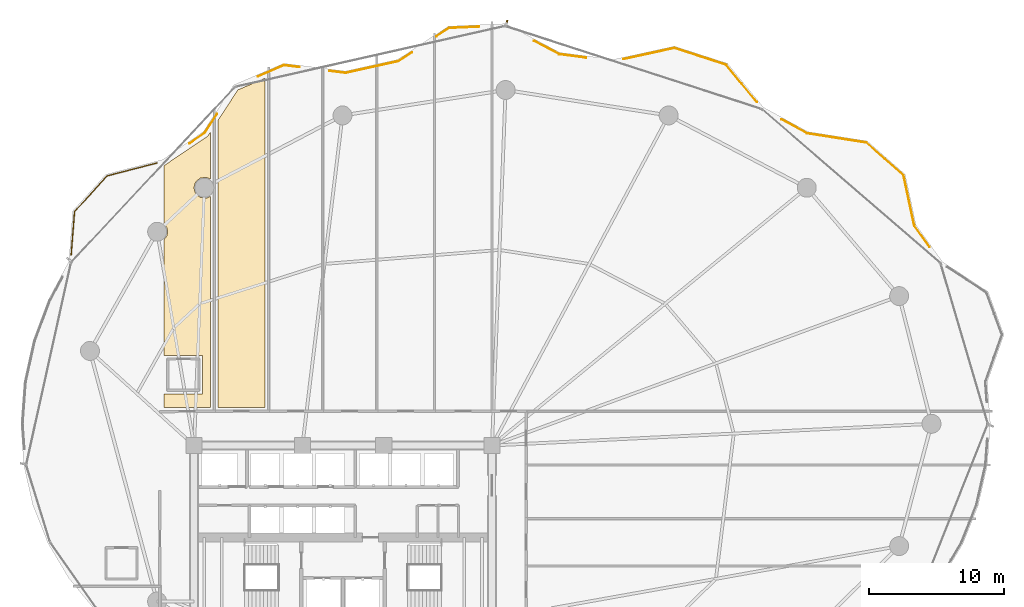
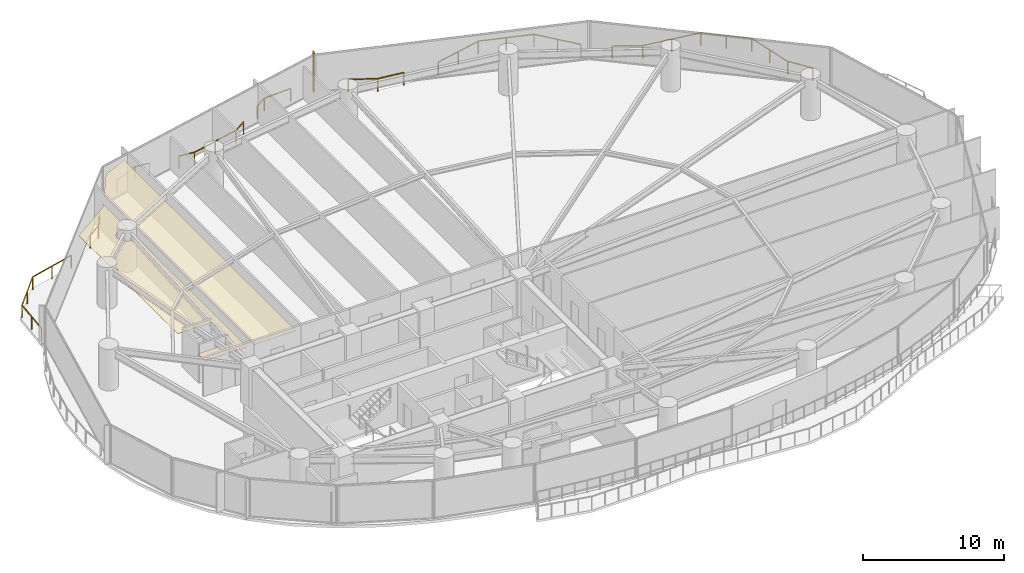
# One storey, part 32 of 33: 8 railings, 2 coverings, 1 shading device.
"""IFC4 building model written with IfcOpenShell, lengths in metres."""

from ifc_helpers import new_model, si_unit, direction, frame, origin, origin_2d, place, context, subcontext, project, spatial, polyline, rectangle, outline, extrude, material, layer, layer_set, type_object, element, save


model = new_model("IFC4")

# Units and contexts
model_context = context("Model", 3, precision=1e-05, world=origin(), true_north=direction((0.0, 1.0)))
body_context = subcontext(model_context, "Body", "Model", "MODEL_VIEW")
ifc_project = project(units=[si_unit("LENGTHUNIT", "METRE"), si_unit("AREAUNIT", "SQUARE_METRE"), si_unit("VOLUMEUNIT", "CUBIC_METRE"), si_unit("PLANEANGLEUNIT", "RADIAN"), si_unit("MASSUNIT", "GRAM", prefix="KILO")], contexts=[model_context])

# Site, building, storey
site_placement = place(None, origin())
site = spatial("IfcSite", under=ifc_project, at=site_placement, CompositionType="ELEMENT")
building_placement = place(site_placement, origin())
building = spatial("IfcBuilding", under=site, at=building_placement, Name="Kazevale Care Tower and Concert Hall", CompositionType="ELEMENT")
storey_placement = place(building_placement, frame((0.0, 0.0, 27.60009765625)))
storey = spatial("IfcBuildingStorey", under=building, at=storey_placement, Name="L06", CompositionType="ELEMENT", Elevation=27.60009765625)

# Coverings
ifc_material_1 = material(Name="Acoustic Plaster and Hinoki Wood", Category="wood")
ifc_layer = layer(ifc_material_1, 0.0400390625)
ifc_layer_set = layer_set([ifc_layer], Name="Acoustic Plaster and Hinoki Wood")
covering_type = type_object("IfcCoveringType", Name="Acoustic Perforated Wood-Gypsum Ceiling", PredefinedType="CEILING", material=ifc_layer_set)
covering_1_placement = place(storey_placement, frame((0.0, 0.0, 2.7099609375)))
element("IfcCovering", 1, at=covering_1_placement, inside=storey, type_object=covering_type, Name="clg:L06:1", PredefinedType="CEILING", context=body_context, shape_type="SweptSolid", body=[
    extrude(outline(polyline([(22.6298828125, 43.054931640625), (19.780029296875, 43.054931640625), (19.780029296875, 51.593994140625), (19.990966796875, 51.882080078125), (20.050048828125, 52.179931640625), (19.990966796875, 52.47802734375), (19.780029296875, 52.76611328125), (19.780029296875, 57.06494140625), (23.014892578125, 59.2509765625), (23.219970703125, 59.56689453125), (23.219970703125, 56.056884765625), (22.912109375, 56.195068359375), (22.4619140625, 56.15087890625), (22.111083984375, 55.863037109375), (21.97998046875, 55.429931640625), (22.111083984375, 54.9970703125), (22.4619140625, 54.708984375), (22.912109375, 54.6650390625), (23.219970703125, 54.802978515625), (23.219970703125, 39.205078125), (19.780029296875, 39.205078125), (19.780029296875, 40.195068359375), (22.6298828125, 40.195068359375), (22.6298828125, 43.054931640625)])), origin(), (0.0, 0.0, 1.0), 0.0400390625),
])
covering_2_placement = place(storey_placement, frame((0.0, 0.0, 2.7099609375)))
element("IfcCovering", 2, at=covering_2_placement, inside=storey, type_object=covering_type, Name="clg:L06:2", PredefinedType="CEILING", context=body_context, shape_type="SweptSolid", body=[
    extrude(outline(polyline([(27.219970703125, 39.205078125), (23.780029296875, 39.205078125), (23.780029296875, 60.427978515625), (25.22607421875, 62.654052734375), (27.219970703125, 63.51611328125), (27.219970703125, 39.205078125)])), origin(), (0.0, 0.0, 1.0), 0.0400390625),
])

# Railings
ifc_material_2 = material(Name="Anodised Bronze Aluminium and Laminated Glass", Category="aluminium")
railing_type = type_object("IfcRailingType", Name="Balcony and Terrace Balustrade 1120", PredefinedType="BALUSTRADE", material=ifc_material_2)
railing_1_placement = place(storey_placement, frame((12.925048828125, 50.48291015625, 0.0)))
element("IfcRailing", 3, at=railing_1_placement, inside=storey, type_object=railing_type, Name="rail:L06:perim:2", PredefinedType="BALUSTRADE", context=body_context, shape_type="SweptSolid", body=[
    extrude(rectangle(XDim=0.048095703125, YDim=0.048095703125, at=origin_2d()), frame((0.0, 0.0, 1.09619140625), z_axis=(0.077457363228, 0.996995665428, 0.0), x_axis=(-0.996995665428, 0.077457363228, 0.0)), (0.0, 0.0, 1.0), 3.189697265625),
    extrude(rectangle(XDim=0.048095703125, YDim=0.048095703125, at=origin_2d()), frame((0.2470703125, 3.18017578125, 1.09619140625), z_axis=(0.67167834736, 0.740842896766, 0.0), x_axis=(-0.740842896766, 0.67167834736, 0.0)), (0.0, 0.0, 1.0), 3.55810546875),
    extrude(rectangle(XDim=0.048095703125, YDim=0.048095703125, at=origin_2d()), frame((2.636962890625, 5.816162109375, 1.09619140625), z_axis=(0.967833691326, 0.251590830384, 0.0), x_axis=(-0.251590830384, 0.967833691326, 0.0)), (0.0, 0.0, 1.0), 3.8271484375),
    extrude(rectangle(XDim=0.0419921875, YDim=0.0419921875, at=origin_2d()), origin(), (0.0, 0.0, 1.0), 1.072021484375),
    extrude(rectangle(XDim=0.0419921875, YDim=0.0419921875, at=origin_2d()), frame((0.12353515625, 1.590087890625, 0.0)), (0.0, 0.0, 1.0), 1.072021484375),
    extrude(rectangle(XDim=0.0419921875, YDim=0.0419921875, at=origin_2d()), frame((0.2470703125, 3.18017578125, 0.0)), (0.0, 0.0, 1.0), 1.072021484375),
    extrude(rectangle(XDim=0.0419921875, YDim=0.0419921875, at=origin_2d()), frame((1.44189453125, 4.498046875, 0.0)), (0.0, 0.0, 1.0), 1.072021484375),
    extrude(rectangle(XDim=0.0419921875, YDim=0.0419921875, at=origin_2d()), frame((2.636962890625, 5.816162109375, 0.0)), (0.0, 0.0, 1.0), 1.072021484375),
    extrude(rectangle(XDim=0.0419921875, YDim=0.0419921875, at=origin_2d()), frame((4.489013671875, 6.297607421875, 0.0)), (0.0, 0.0, 1.0), 1.072021484375),
    extrude(rectangle(XDim=0.0419921875, YDim=0.0419921875, at=origin_2d()), frame((6.341064453125, 6.779052734375, 0.0)), (0.0, 0.0, 1.0), 1.072021484375),
])
railing_2_placement = place(storey_placement, frame((21.65087890625, 58.699951171875, 0.0)))
element("IfcRailing", 4, at=railing_2_placement, inside=storey, type_object=railing_type, Name="rail:L06:perim:3", PredefinedType="BALUSTRADE", context=body_context, shape_type="SweptSolid", body=[
    extrude(rectangle(XDim=0.048095703125, YDim=0.048095703125, at=origin_2d()), frame((0.0, 0.0, 1.09619140625), z_axis=(0.823330292932, 0.56756253289, 0.0), x_axis=(-0.56756253289, 0.823330292932, 0.0)), (0.0, 0.0, 1.0), 1.37255859375),
    extrude(rectangle(XDim=0.048095703125, YDim=0.048095703125, at=origin_2d()), frame((1.130126953125, 0.779052734375, 1.09619140625), z_axis=(0.545340812874, 0.838214410407, 0.0), x_axis=(-0.838214410407, 0.545340812874, 0.0)), (0.0, 0.0, 1.0), 1.6796875),
    extrude(rectangle(XDim=0.0419921875, YDim=0.0419921875, at=origin_2d()), origin(), (0.0, 0.0, 1.0), 1.072021484375),
    extrude(rectangle(XDim=0.0419921875, YDim=0.0419921875, at=origin_2d()), frame((1.130126953125, 0.779052734375, 0.0)), (0.0, 0.0, 1.0), 1.072021484375),
    extrude(rectangle(XDim=0.0419921875, YDim=0.0419921875, at=origin_2d()), frame((2.046142578125, 2.18701171875, 0.0)), (0.0, 0.0, 1.0), 1.072021484375),
])
railing_3_placement = place(storey_placement, frame((26.70703125, 63.64306640625, 0.0)))
element("IfcRailing", 5, at=railing_3_placement, inside=storey, type_object=railing_type, Name="rail:L06:perim:4", PredefinedType="BALUSTRADE", context=body_context, shape_type="SweptSolid", body=[
    extrude(rectangle(XDim=0.048095703125, YDim=0.048095703125, at=origin_2d()), frame((0.0, 0.0, 1.09619140625), z_axis=(0.917761192616, 0.397132715007, 0.0), x_axis=(-0.397132715007, 0.917761192616, 0.0)), (0.0, 0.0, 1.0), 2.107421875),
    extrude(rectangle(XDim=0.048095703125, YDim=0.048095703125, at=origin_2d()), frame((1.93408203125, 0.8369140625, 1.09619140625), z_axis=(0.992136908777, -0.125157317977, 0.0), x_axis=(0.125157317977, 0.992136908777, 0.0)), (0.0, 0.0, 1.0), 1.15087890625),
    extrude(rectangle(XDim=0.0419921875, YDim=0.0419921875, at=origin_2d()), origin(), (0.0, 0.0, 1.0), 1.072021484375),
    extrude(rectangle(XDim=0.0419921875, YDim=0.0419921875, at=origin_2d()), frame((1.93408203125, 0.8369140625, 0.0)), (0.0, 0.0, 1.0), 1.072021484375),
    extrude(rectangle(XDim=0.0419921875, YDim=0.0419921875, at=origin_2d()), frame((3.075927734375, 0.69287109375, 0.0)), (0.0, 0.0, 1.0), 1.072021484375),
])
railing_4_placement = place(storey_placement, frame((32.001953125, 64.05810546875, 0.0)))
element("IfcRailing", 6, at=railing_4_placement, inside=storey, type_object=railing_type, Name="rail:L06:perim:5", PredefinedType="BALUSTRADE", context=body_context, shape_type="SweptSolid", body=[
    extrude(rectangle(XDim=0.048095703125, YDim=0.048095703125, at=origin_2d()), frame((0.0, 0.0, 1.09619140625), z_axis=(0.992119329578, -0.125296591644, 0.0), x_axis=(0.125296591644, 0.992119329578, 0.0)), (0.0, 0.0, 1.0), 1.1904296875),
    extrude(rectangle(XDim=0.048095703125, YDim=0.048095703125, at=origin_2d()), frame((1.18115234375, -0.149169921875, 1.09619140625), z_axis=(0.976178445537, 0.216969220097, 0.0), x_axis=(-0.216969220097, 0.976178445537, 0.0)), (0.0, 0.0, 1.0), 4.001220703125),
    extrude(rectangle(XDim=0.048095703125, YDim=0.048095703125, at=origin_2d()), frame((5.087158203125, 0.718994140625, 1.09619140625), z_axis=(0.835832367502, 0.548984747908, 0.0), x_axis=(-0.548984747908, 0.835832367502, 0.0)), (0.0, 0.0, 1.0), 1.185546875),
    extrude(rectangle(XDim=0.0419921875, YDim=0.0419921875, at=origin_2d()), origin(), (0.0, 0.0, 1.0), 1.072021484375),
    extrude(rectangle(XDim=0.0419921875, YDim=0.0419921875, at=origin_2d()), frame((1.18115234375, -0.149169921875, 0.0)), (0.0, 0.0, 1.0), 1.072021484375),
    extrude(rectangle(XDim=0.0419921875, YDim=0.0419921875, at=origin_2d()), frame((3.13427734375, 0.284912109375, 0.0)), (0.0, 0.0, 1.0), 1.072021484375),
    extrude(rectangle(XDim=0.0419921875, YDim=0.0419921875, at=origin_2d()), frame((5.087158203125, 0.718994140625, 0.0)), (0.0, 0.0, 1.0), 1.072021484375),
    extrude(rectangle(XDim=0.0419921875, YDim=0.0419921875, at=origin_2d()), frame((6.078125, 1.369873046875, 0.0)), (0.0, 0.0, 1.0), 1.072021484375),
])
railing_5_placement = place(storey_placement, frame((39.885986328125, 66.614013671875, 0.0)))
element("IfcRailing", 7, at=railing_5_placement, inside=storey, type_object=railing_type, Name="rail:L06:perim:6", PredefinedType="BALUSTRADE", context=body_context, shape_type="SweptSolid", body=[
    extrude(rectangle(XDim=0.048095703125, YDim=0.048095703125, at=origin_2d()), frame((0.0, 0.0, 1.09619140625), z_axis=(0.835903517622, 0.548876406149, 0.0), x_axis=(-0.548876406149, 0.835903517622, 0.0)), (0.0, 0.0, 1.0), 1.115234375),
    extrude(rectangle(XDim=0.048095703125, YDim=0.048095703125, at=origin_2d()), frame((0.93212890625, 0.612060546875, 1.09619140625), z_axis=(0.999043859493, 0.043719181241, 0.0), x_axis=(-0.043719181241, 0.999043859493, 0.0)), (0.0, 0.0, 1.0), 2.217041015625),
    extrude(rectangle(XDim=0.0419921875, YDim=0.0419921875, at=origin_2d()), origin(), (0.0, 0.0, 1.0), 1.072021484375),
    extrude(rectangle(XDim=0.0419921875, YDim=0.0419921875, at=origin_2d()), frame((0.93212890625, 0.612060546875, 0.0)), (0.0, 0.0, 1.0), 1.072021484375),
    extrude(rectangle(XDim=0.0419921875, YDim=0.0419921875, at=origin_2d()), frame((3.14697265625, 0.708984375, 0.0)), (0.0, 0.0, 1.0), 1.072021484375),
])
railing_6_placement = place(storey_placement, frame((47.115966796875, 66.27001953125, 0.0)))
element("IfcRailing", 8, at=railing_6_placement, inside=storey, type_object=railing_type, Name="rail:L06:perim:7", PredefinedType="BALUSTRADE", context=body_context, shape_type="SweptSolid", body=[
    extrude(rectangle(XDim=0.048095703125, YDim=0.048095703125, at=origin_2d()), frame((0.0, 0.0, 1.09619140625), z_axis=(0.883776562896, -0.467909165198, 0.0), x_axis=(0.467909165198, 0.883776562896, 0.0)), (0.0, 0.0, 1.0), 2.09228515625),
    extrude(rectangle(XDim=0.048095703125, YDim=0.048095703125, at=origin_2d()), frame((1.84912109375, -0.97900390625, 1.09619140625), z_axis=(0.991534086176, -0.129846663223, 0.0), x_axis=(0.129846663223, 0.991534086176, 0.0)), (0.0, 0.0, 1.0), 1.994873046875),
    extrude(rectangle(XDim=0.0419921875, YDim=0.0419921875, at=origin_2d()), origin(), (0.0, 0.0, 1.0), 1.072021484375),
    extrude(rectangle(XDim=0.0419921875, YDim=0.0419921875, at=origin_2d()), frame((1.84912109375, -0.97900390625, 0.0)), (0.0, 0.0, 1.0), 1.072021484375),
    extrude(rectangle(XDim=0.0419921875, YDim=0.0419921875, at=origin_2d()), frame((3.8271484375, -1.238037109375, 0.0)), (0.0, 0.0, 1.0), 1.072021484375),
])
railing_7_placement = place(storey_placement, frame((53.72509765625, 64.929931640625, 0.0)))
element("IfcRailing", 9, at=railing_7_placement, inside=storey, type_object=railing_type, Name="rail:L06:perim:8", PredefinedType="BALUSTRADE", context=body_context, shape_type="SweptSolid", body=[
    extrude(rectangle(XDim=0.048095703125, YDim=0.048095703125, at=origin_2d()), frame((0.0, 0.0, 1.09619140625), z_axis=(0.976904182087, 0.213677839331, 0.0), x_axis=(-0.213677839331, 0.976904182087, 0.0)), (0.0, 0.0, 1.0), 3.82421875),
    extrude(rectangle(XDim=0.048095703125, YDim=0.048095703125, at=origin_2d()), frame((3.73583984375, 0.817138671875, 1.09619140625), z_axis=(0.951224739484, -0.308498776326, 0.0), x_axis=(0.308498776326, 0.951224739484, 0.0)), (0.0, 0.0, 1.0), 4.032958984375),
    extrude(rectangle(XDim=0.048095703125, YDim=0.048095703125, at=origin_2d()), frame((7.572021484375, -0.427001953125, 1.09619140625), z_axis=(0.63401399695, -0.773321570675, 0.0), x_axis=(0.773321570675, 0.63401399695, 0.0)), (0.0, 0.0, 1.0), 3.56103515625),
    extrude(rectangle(XDim=0.0419921875, YDim=0.0419921875, at=origin_2d()), origin(), (0.0, 0.0, 1.0), 1.072021484375),
    extrude(rectangle(XDim=0.0419921875, YDim=0.0419921875, at=origin_2d()), frame((1.867919921875, 0.40869140625, 0.0)), (0.0, 0.0, 1.0), 1.072021484375),
    extrude(rectangle(XDim=0.0419921875, YDim=0.0419921875, at=origin_2d()), frame((3.73583984375, 0.817138671875, 0.0)), (0.0, 0.0, 1.0), 1.072021484375),
    extrude(rectangle(XDim=0.0419921875, YDim=0.0419921875, at=origin_2d()), frame((5.65380859375, 0.195068359375, 0.0)), (0.0, 0.0, 1.0), 1.072021484375),
    extrude(rectangle(XDim=0.0419921875, YDim=0.0419921875, at=origin_2d()), frame((7.572021484375, -0.427001953125, 0.0)), (0.0, 0.0, 1.0), 1.072021484375),
    extrude(rectangle(XDim=0.0419921875, YDim=0.0419921875, at=origin_2d()), frame((8.700927734375, -1.803955078125, 0.0)), (0.0, 0.0, 1.0), 1.072021484375),
    extrude(rectangle(XDim=0.0419921875, YDim=0.0419921875, at=origin_2d()), frame((9.829833984375, -3.180908203125, 0.0)), (0.0, 0.0, 1.0), 1.072021484375),
])
railing_8_placement = place(storey_placement, frame((65.375, 60.48291015625, 0.0)))
element("IfcRailing", 10, at=railing_8_placement, inside=storey, type_object=railing_type, Name="rail:L06:perim:9", PredefinedType="BALUSTRADE", context=body_context, shape_type="SweptSolid", body=[
    extrude(rectangle(XDim=0.048095703125, YDim=0.048095703125, at=origin_2d()), frame((0.0, 0.0, 1.09619140625), z_axis=(0.877408218259, -0.479744534656, 0.0), x_axis=(0.479744534656, 0.877408218259, 0.0)), (0.0, 0.0, 1.0), 2.165283203125),
    extrude(rectangle(XDim=0.048095703125, YDim=0.048095703125, at=origin_2d()), frame((1.89990234375, -1.038818359375, 1.09619140625), z_axis=(0.98800015678, -0.154452873728, 0.0), x_axis=(0.154452873728, 0.98800015678, 0.0)), (0.0, 0.0, 1.0), 4.41015625),
    extrude(rectangle(XDim=0.048095703125, YDim=0.048095703125, at=origin_2d()), frame((6.257080078125, -1.719970703125, 1.09619140625), z_axis=(0.752130585126, -0.65901409918, 0.0), x_axis=(0.65901409918, 0.752130585126, 0.0)), (0.0, 0.0, 1.0), 3.662841796875),
    extrude(rectangle(XDim=0.048095703125, YDim=0.048095703125, at=origin_2d()), frame((9.011962890625, -4.1337890625, 1.09619140625), z_axis=(0.208802033864, -0.977957928877, 0.0), x_axis=(0.977957928877, 0.208802033864, 0.0)), (0.0, 0.0, 1.0), 3.80712890625),
    extrude(rectangle(XDim=0.048095703125, YDim=0.048095703125, at=origin_2d()), frame((9.806884765625, -7.85693359375, 1.09619140625), z_axis=(0.582711263324, -0.812679262437, 0.0), x_axis=(0.812679262437, 0.582711263324, 0.0)), (0.0, 0.0, 1.0), 1.94287109375),
    extrude(rectangle(XDim=0.0419921875, YDim=0.0419921875, at=origin_2d()), origin(), (0.0, 0.0, 1.0), 1.072021484375),
    extrude(rectangle(XDim=0.0419921875, YDim=0.0419921875, at=origin_2d()), frame((1.89990234375, -1.038818359375, 0.0)), (0.0, 0.0, 1.0), 1.072021484375),
    extrude(rectangle(XDim=0.0419921875, YDim=0.0419921875, at=origin_2d()), frame((4.07861328125, -1.37939453125, 0.0)), (0.0, 0.0, 1.0), 1.072021484375),
    extrude(rectangle(XDim=0.0419921875, YDim=0.0419921875, at=origin_2d()), frame((6.257080078125, -1.719970703125, 0.0)), (0.0, 0.0, 1.0), 1.072021484375),
    extrude(rectangle(XDim=0.0419921875, YDim=0.0419921875, at=origin_2d()), frame((7.634521484375, -2.9267578125, 0.0)), (0.0, 0.0, 1.0), 1.072021484375),
    extrude(rectangle(XDim=0.0419921875, YDim=0.0419921875, at=origin_2d()), frame((9.011962890625, -4.1337890625, 0.0)), (0.0, 0.0, 1.0), 1.072021484375),
    extrude(rectangle(XDim=0.0419921875, YDim=0.0419921875, at=origin_2d()), frame((9.409423828125, -5.995361328125, 0.0)), (0.0, 0.0, 1.0), 1.072021484375),
    extrude(rectangle(XDim=0.0419921875, YDim=0.0419921875, at=origin_2d()), frame((9.806884765625, -7.85693359375, 0.0)), (0.0, 0.0, 1.0), 1.072021484375),
    extrude(rectangle(XDim=0.0419921875, YDim=0.0419921875, at=origin_2d()), frame((10.93896484375, -9.435791015625, 0.0)), (0.0, 0.0, 1.0), 1.072021484375),
])

# Shading device
ifc_material_3 = material(Name="Honed Ochre Limestone", Category="masonry")
shading_device_type = type_object("IfcShadingDeviceType", Name="Vertical Honed Limestone Fin FIN-01", PredefinedType="USERDEFINED", material=ifc_material_3)
shading_device_placement = place(storey_placement, frame((45.08203125, 67.618408203125, 0.0), z_axis=(0.0, 0.0, 1.0), x_axis=(0.30785482931, 0.951433341896, 0.0)))
element("IfcShadingDevice", 11, at=shading_device_placement, inside=storey, type_object=shading_device_type, Name="cw:L06:f16:fin", ObjectType="FIN", PredefinedType="USERDEFINED", context=body_context, shape_type="SweptSolid", body=[
    extrude(rectangle(XDim=0.3798828125, YDim=0.1201171875, at=origin_2d()), origin(), (0.0, 0.0, 1.0), 3.360107421875),
])

save(model, "model.ifc")
